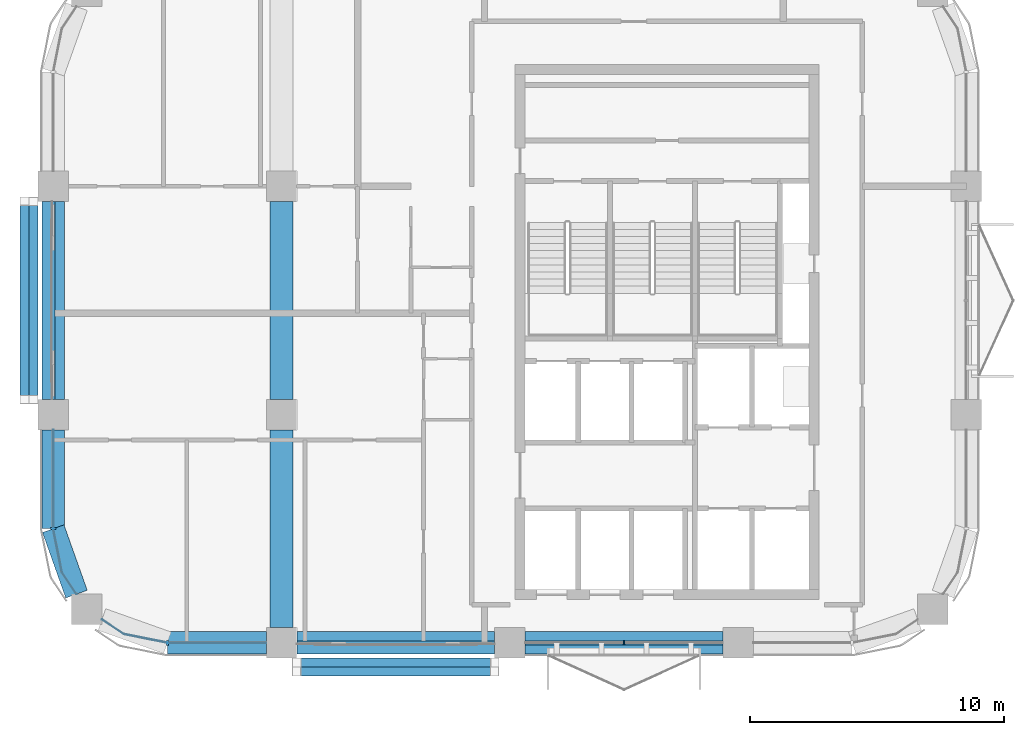
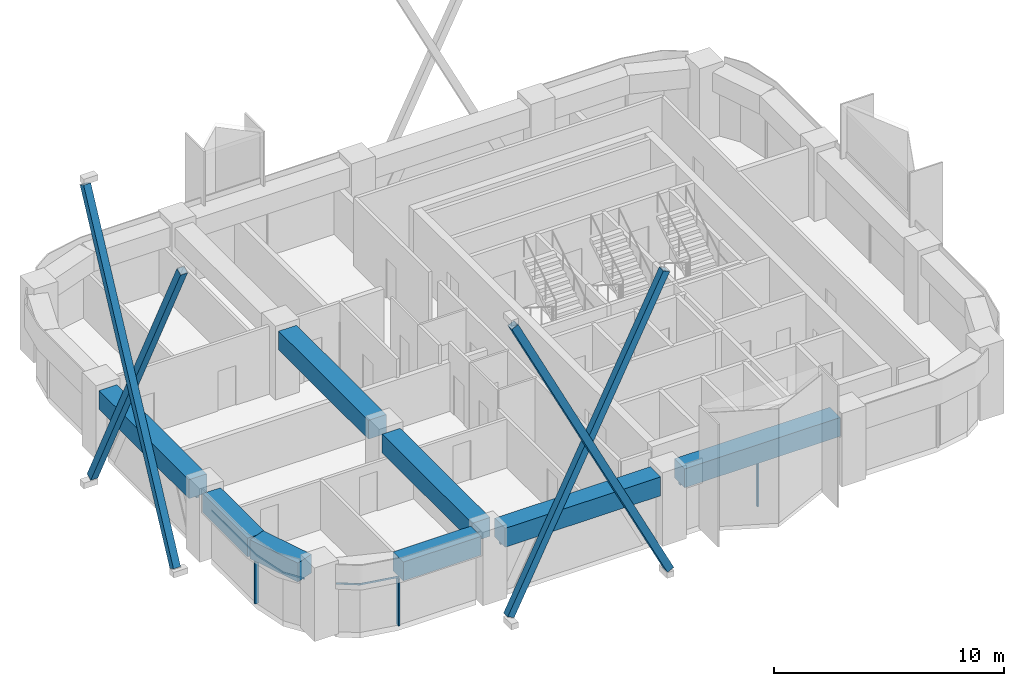
# One storey, part 2 of 11: 12 members, 8 beams, 5 elements without a shape of their own.
"""IFC4 building model written with IfcOpenShell, lengths in metres."""

from ifc_helpers import new_model, si_unit, direction, frame, origin, origin_2d, place, context, subcontext, project, spatial, polyline, rectangle, hollow_rectangle, outline, extrude, material, material_profile, profile_set, type_object, element, aggregate, save


model = new_model("IFC4")

# Units and contexts
model_context = context("Model", 3, precision=1e-05, world=origin(), true_north=direction((0.0, 1.0)))
body_context = subcontext(model_context, "Body", "Model", "MODEL_VIEW")
ifc_project = project(units=[si_unit("LENGTHUNIT", "METRE"), si_unit("AREAUNIT", "SQUARE_METRE"), si_unit("VOLUMEUNIT", "CUBIC_METRE"), si_unit("PLANEANGLEUNIT", "RADIAN"), si_unit("MASSUNIT", "GRAM", prefix="KILO")], contexts=[model_context])

# Site, building, storey
site_placement = place(None, origin())
site = spatial("IfcSite", under=ifc_project, at=site_placement, CompositionType="ELEMENT")
building_placement = place(site_placement, origin())
building = spatial("IfcBuilding", under=site, at=building_placement, Name="Tessera Arch", CompositionType="ELEMENT")
storey_placement = place(building_placement, frame((0.0, 0.0, 250.10009765625)))
storey = spatial("IfcBuildingStorey", under=building, at=storey_placement, Name="L60", CompositionType="ELEMENT", Elevation=250.10009765625)

# Members
ifc_material_1 = material(Name="Steel A500 Gr C", Category="steel")
ifc_material_profile_1 = material_profile(ifc_material_1, hollow_rectangle(XDim=0.355712890625, YDim=0.355712890625, WallThickness=0.01171875, at=origin_2d()), Name="HSS14x14x1/2")
ifc_profile_set_1 = profile_set([ifc_material_profile_1], Name="Steel A500 Gr C")
member_type_1 = type_object("IfcMemberType", Name="Brace HSS14x14x1/2 Steel A500 Gr C", PredefinedType="BRACE", material=ifc_profile_set_1)
for number, where, z_axis, x_axis, name in (
    (1, (17.22216796875, 44.39990234375, -0.800048828125), (0.0, -0.447207996293, 0.894429990582), (1.0, 0.0, 0.0), "Brace W18.27-1 A L60-L63"),
    (2, (16.86669921875, 36.60009765625, -0.800048828125), (0.0, 0.447207996293, 0.894429990582), (-1.0, 0.0, 0.0), "Brace W18.27-1 B L60-L63"),
    (3, (27.60009765625, 26.22216796875, -0.800048828125), (0.447207996293, 0.0, 0.894429990582), (0.0, 1.0, 0.0), "Brace S27.18-1 A L60-L63"),
    (4, (35.39990234375, 25.86669921875, -0.800048828125), (-0.447207996293, 0.0, 0.894429990582), (0.0, -1.0, 0.0), "Brace S27.18-1 B L60-L63"),
):
    element("IfcMember", number, at=place(storey_placement, frame(where, z_axis=z_axis, x_axis=x_axis)), inside=storey, type_object=member_type_1, Name=name, PredefinedType="BRACE", context=body_context, shape_type="SweptSolid", body=[
        extrude(hollow_rectangle(XDim=0.355712890625, YDim=0.355712890625, WallThickness=0.01171875, at=origin_2d()), origin(), (0.0, 0.0, 1.0), 17.441162109375),
    ])

# Curtain wall, members
ifc_material_2 = material(Name="CW1 curtain wall")
curtain_wall_type_1 = type_object("IfcCurtainWallType", Name="CW1 curtain wall", PredefinedType="NOTDEFINED", material=ifc_material_2)
curtain_wall_1_placement = place(storey_placement, origin())
curtain_wall_1 = element("IfcCurtainWall", 5, at=curtain_wall_1_placement, inside=storey, type_object=curtain_wall_type_1, Name="CW1 curtain wall S27.18/2 L60", PredefinedType="NOTDEFINED")
ifc_material_3 = material(Name="Anodised aluminium pale metal", Category="aluminium")
ifc_material_profile_2 = material_profile(ifc_material_3, rectangle(XDim=0.159912109375, YDim=0.06005859375, at=origin_2d()), Name="AL 60x160")
ifc_profile_set_2 = profile_set([ifc_material_profile_2], Name="Anodised aluminium pale metal")
member_type_2 = type_object("IfcMemberType", Name="CW1 mullion", PredefinedType="MULLION", material=ifc_profile_set_2)
member_1_placement = place(storey_placement, frame((40.5, 27.0, 0.0), z_axis=(0.0, 0.0, 1.0), x_axis=(0.0, 1.0, 0.0)))
member_1 = element("IfcMember", 6, at=member_1_placement, type_object=member_type_2, Name="CW1 mullion S27.18/2 1", PredefinedType="MULLION", context=body_context, shape_type="SweptSolid", body=[
    extrude(rectangle(XDim=0.159912109375, YDim=0.06005859375, at=origin_2d()), origin(), (0.0, 0.0, 1.0), 2.5),
])
ifc_material_4 = material(Name="Anodised aluminium pale metal", Category="aluminium")
ifc_material_profile_3 = material_profile(ifc_material_4, rectangle(XDim=0.159912109375, YDim=0.10009765625, at=origin_2d()), Name="AL 160x100")
ifc_profile_set_3 = profile_set([ifc_material_profile_3], Name="Anodised aluminium pale metal")
member_type_3 = type_object("IfcMemberType", Name="CW1 transom", PredefinedType="USERDEFINED", material=ifc_profile_set_3)
member_2_placement = place(storey_placement, frame((36.60009765625, 27.0, 2.5498046875), z_axis=(1.0, 0.0, 0.0), x_axis=(0.0, 1.0, 0.0)))
member_2 = element("IfcMember", 7, at=member_2_placement, type_object=member_type_3, Name="CW1 transom S27.18/2 1.1", ObjectType="TRANSOM", PredefinedType="USERDEFINED", context=body_context, shape_type="SweptSolid", body=[
    extrude(rectangle(XDim=0.159912109375, YDim=0.10009765625, at=origin_2d()), origin(), (0.0, 0.0, 1.0), 7.7998046875),
])
aggregate(curtain_wall_1, [member_1, member_2])

# Curtain wall, member
ifc_material_5 = material(Name="CW2 curtain wall")
curtain_wall_type_2 = type_object("IfcCurtainWallType", Name="CW2 curtain wall", PredefinedType="NOTDEFINED", material=ifc_material_5)
curtain_wall_2_placement = place(storey_placement, origin())
curtain_wall_2 = element("IfcCurtainWall", 8, at=curtain_wall_2_placement, inside=storey, type_object=curtain_wall_type_2, Name="CW2 curtain wall W18.27/2 L60", PredefinedType="NOTDEFINED")
ifc_material_6 = material(Name="Anodised aluminium pale metal", Category="aluminium")
ifc_material_profile_4 = material_profile(ifc_material_6, rectangle(XDim=0.199951171875, YDim=0.080078125, at=origin_2d()), Name="AL 80x200")
ifc_profile_set_4 = profile_set([ifc_material_profile_4], Name="Anodised aluminium pale metal")
member_type_4 = type_object("IfcMemberType", Name="CW2 mullion", PredefinedType="MULLION", material=ifc_profile_set_4)
member_3_placement = place(storey_placement, frame((18.0, 31.5, 0.0), z_axis=(0.0, 0.0, 1.0), x_axis=(1.0, 0.0, 0.0)))
member_3 = element("IfcMember", 9, at=member_3_placement, type_object=member_type_4, Name="CW2 mullion W18.27/2 1", PredefinedType="MULLION", context=body_context, shape_type="SweptSolid", body=[
    extrude(rectangle(XDim=0.199951171875, YDim=0.080078125, at=origin_2d()), origin(), (0.0, 0.0, 1.0), 2.5),
])

curtain_wall_3_placement = place(storey_placement, origin())
curtain_wall_3 = element("IfcCurtainWall", 10, at=curtain_wall_3_placement, inside=storey, type_object=curtain_wall_type_2, Name="CW2 curtain wall S27.18/0 L60", PredefinedType="NOTDEFINED")
member_4_placement = place(storey_placement, frame((22.5, 27.0, 0.0), z_axis=(0.0, 0.0, 1.0), x_axis=(0.0, 1.0, 0.0)))
member_4 = element("IfcMember", 11, at=member_4_placement, type_object=member_type_4, Name="CW2 mullion S27.18/0 1", PredefinedType="MULLION", context=body_context, shape_type="SweptSolid", body=[
    extrude(rectangle(XDim=0.199951171875, YDim=0.080078125, at=origin_2d()), origin(), (0.0, 0.0, 1.0), 2.5),
])

# Member
ifc_material_7 = material(Name="Anodised aluminium pale metal", Category="aluminium")
ifc_material_profile_5 = material_profile(ifc_material_7, rectangle(XDim=0.199951171875, YDim=0.10009765625, at=origin_2d()), Name="AL 200x100")
ifc_profile_set_5 = profile_set([ifc_material_profile_5], Name="Anodised aluminium pale metal")
member_type_5 = type_object("IfcMemberType", Name="CW2 transom", PredefinedType="USERDEFINED", material=ifc_profile_set_5)
member_5_placement = place(storey_placement, frame((0.0, 0.0, 2.5)))
member_5 = element("IfcMember", 12, at=member_5_placement, type_object=member_type_5, Name="CW2 transom W18.27/2 1", ObjectType="TRANSOM", PredefinedType="USERDEFINED", context=body_context, shape_type="SweptSolid", body=[
    extrude(outline(polyline([(18.010009765625, 31.5009765625), (18.010009765625, 35.39990234375), (17.989990234375, 35.39990234375), (17.989990234375, 31.4990234375), (18.3330078125, 29.77392578125), (18.90869140625, 28.912353515625), (18.92529296875, 28.923583984375), (18.351806640625, 29.78173828125), (18.010009765625, 31.5009765625)])), origin(), (0.0, 0.0, 1.0), 0.099853515625),
])

aggregate(curtain_wall_2, [member_3, member_5])

member_6_placement = place(storey_placement, frame((0.0, 0.0, 2.5)))
member_6 = element("IfcMember", 13, at=member_6_placement, type_object=member_type_5, Name="CW2 transom S27.18/0 1", ObjectType="TRANSOM", PredefinedType="USERDEFINED", context=body_context, shape_type="SweptSolid", body=[
    extrude(outline(polyline([(20.78173828125, 27.351806640625), (19.923583984375, 27.92529296875), (19.912353515625, 27.90869140625), (20.77392578125, 27.3330078125), (22.4990234375, 26.989990234375), (26.39990234375, 26.989990234375), (26.39990234375, 27.010009765625), (22.5009765625, 27.010009765625), (20.78173828125, 27.351806640625)])), origin(), (0.0, 0.0, 1.0), 0.099853515625),
])

aggregate(curtain_wall_3, [member_4, member_6])

# Curtain wall, member
ifc_material_8 = material(Name="CW3 curtain wall")
curtain_wall_type_3 = type_object("IfcCurtainWallType", Name="CW3 curtain wall", PredefinedType="NOTDEFINED", material=ifc_material_8)
curtain_wall_4_placement = place(storey_placement, origin())
curtain_wall_4 = element("IfcCurtainWall", 14, at=curtain_wall_4_placement, inside=storey, type_object=curtain_wall_type_3, Name="CW3 curtain wall W18.27/1 L60", PredefinedType="NOTDEFINED")
ifc_material_9 = material(Name="Anodised aluminium pale metal", Category="aluminium")
ifc_material_profile_6 = material_profile(ifc_material_9, rectangle(XDim=0.139892578125, YDim=0.10009765625, at=origin_2d()), Name="AL 140x100")
ifc_profile_set_6 = profile_set([ifc_material_profile_6], Name="Anodised aluminium pale metal")
member_type_6 = type_object("IfcMemberType", Name="CW3 transom", PredefinedType="USERDEFINED", material=ifc_profile_set_6)
member_7_placement = place(storey_placement, frame((18.0, 44.39990234375, 2.5498046875), z_axis=(0.0, -1.0, 0.0), x_axis=(1.0, 0.0, 0.0)))
member_7 = element("IfcMember", 15, at=member_7_placement, type_object=member_type_6, Name="CW3 transom W18.27/1 1.1", ObjectType="TRANSOM", PredefinedType="USERDEFINED", context=body_context, shape_type="SweptSolid", body=[
    extrude(rectangle(XDim=0.139892578125, YDim=0.10009765625, at=origin_2d()), origin(), (0.0, 0.0, 1.0), 7.7998046875),
])
aggregate(curtain_wall_4, [member_7])

curtain_wall_5_placement = place(storey_placement, origin())
curtain_wall_5 = element("IfcCurtainWall", 16, at=curtain_wall_5_placement, inside=storey, type_object=curtain_wall_type_3, Name="CW3 curtain wall S27.18/1 L60", PredefinedType="NOTDEFINED")
member_8_placement = place(storey_placement, frame((27.60009765625, 27.0, 2.5498046875), z_axis=(1.0, 0.0, 0.0), x_axis=(0.0, 1.0, 0.0)))
member_8 = element("IfcMember", 17, at=member_8_placement, type_object=member_type_6, Name="CW3 transom S27.18/1 1.1", ObjectType="TRANSOM", PredefinedType="USERDEFINED", context=body_context, shape_type="SweptSolid", body=[
    extrude(rectangle(XDim=0.139892578125, YDim=0.10009765625, at=origin_2d()), origin(), (0.0, 0.0, 1.0), 7.7998046875),
])
aggregate(curtain_wall_5, [member_8])

# Beams
ifc_material_10 = material(Name="Concrete C60/75", Category="concrete")
ifc_material_profile_7 = material_profile(ifc_material_10, rectangle(XDim=0.89990234375, YDim=1.0, at=origin_2d()), Name="RC spandrel beam 900 x 1000 Concrete C60/75")
ifc_profile_set_7 = profile_set([ifc_material_profile_7], Name="Concrete C60/75")
beam_type = type_object("IfcBeamType", Name="RC spandrel beam 900 x 1000 Concrete C60/75", PredefinedType="BEAM", material=ifc_profile_set_7)
beam_1_placement = place(storey_placement, frame((18.0, 44.39990234375, 3.099853515625), z_axis=(0.0, -1.0, 0.0), x_axis=(1.0, 0.0, 0.0)))
element("IfcBeam", 18, at=beam_1_placement, inside=storey, type_object=beam_type, Name="Spandrel beam L60 W18.27/1", PredefinedType="BEAM", context=body_context, shape_type="SweptSolid", body=[
    extrude(rectangle(XDim=0.89990234375, YDim=1.0, at=origin_2d()), origin(), (0.0, 0.0, 1.0), 7.7998046875),
])
beam_2_placement = place(storey_placement, frame((18.0, 35.39990234375, 3.099853515625), z_axis=(0.0, -1.0, 0.0), x_axis=(1.0, 0.0, 0.0)))
element("IfcBeam", 19, at=beam_2_placement, inside=storey, type_object=beam_type, Name="Spandrel beam L60 W18.27/2.1", PredefinedType="BEAM", context=body_context, shape_type="SweptSolid", body=[
    extrude(rectangle(XDim=0.89990234375, YDim=1.0, at=origin_2d()), origin(), (0.0, 0.0, 1.0), 3.89990234375),
])
beam_3_placement = place(storey_placement, frame((18.0, 31.5, 3.099853515625), z_axis=(0.334665114373, -0.942337127159, 0.0), x_axis=(0.942337127159, 0.334665114373, 0.0)))
element("IfcBeam", 20, at=beam_3_placement, inside=storey, type_object=beam_type, Name="Spandrel beam L60 W18.27/2.2", PredefinedType="BEAM", context=body_context, shape_type="SweptSolid", body=[
    extrude(rectangle(XDim=0.89990234375, YDim=1.0, at=origin_2d()), origin(), (0.0, 0.0, 1.0), 2.739990234375),
])
beam_4_placement = place(storey_placement, frame((22.5, 27.0, 3.099853515625), z_axis=(1.0, 0.0, 0.0), x_axis=(0.0, 1.0, 0.0)))
element("IfcBeam", 21, at=beam_4_placement, inside=storey, type_object=beam_type, Name="Spandrel beam L60 S27.18/0.2", PredefinedType="BEAM", context=body_context, shape_type="SweptSolid", body=[
    extrude(rectangle(XDim=0.89990234375, YDim=1.0, at=origin_2d()), origin(), (0.0, 0.0, 1.0), 3.89990234375),
])
for number, where, z_axis, x_axis, name in (
    (22, (27.60009765625, 27.0, 3.099853515625), (1.0, 0.0, 0.0), (0.0, 1.0, 0.0), "Spandrel beam L60 S27.18/1"),
    (23, (36.60009765625, 27.0, 3.099853515625), (1.0, 0.0, 0.0), (0.0, 1.0, 0.0), "Spandrel beam L60 S27.18/2"),
    (24, (27.0, 27.60009765625, 3.099853515625), (0.0, 1.0, 0.0), (-1.0, 0.0, 0.0), "Interface beam L60 I0C4D-C4E"),
    (25, (27.0, 36.60009765625, 3.099853515625), (0.0, 1.0, 0.0), (-1.0, 0.0, 0.0), "Interface beam L60 I0C4E-C4F"),
):
    element("IfcBeam", number, at=place(storey_placement, frame(where, z_axis=z_axis, x_axis=x_axis)), inside=storey, type_object=beam_type, Name=name, PredefinedType="BEAM", context=body_context, shape_type="SweptSolid", body=[
        extrude(rectangle(XDim=0.89990234375, YDim=1.0, at=origin_2d()), origin(), (0.0, 0.0, 1.0), 7.7998046875),
    ])

save(model, "model.ifc")
